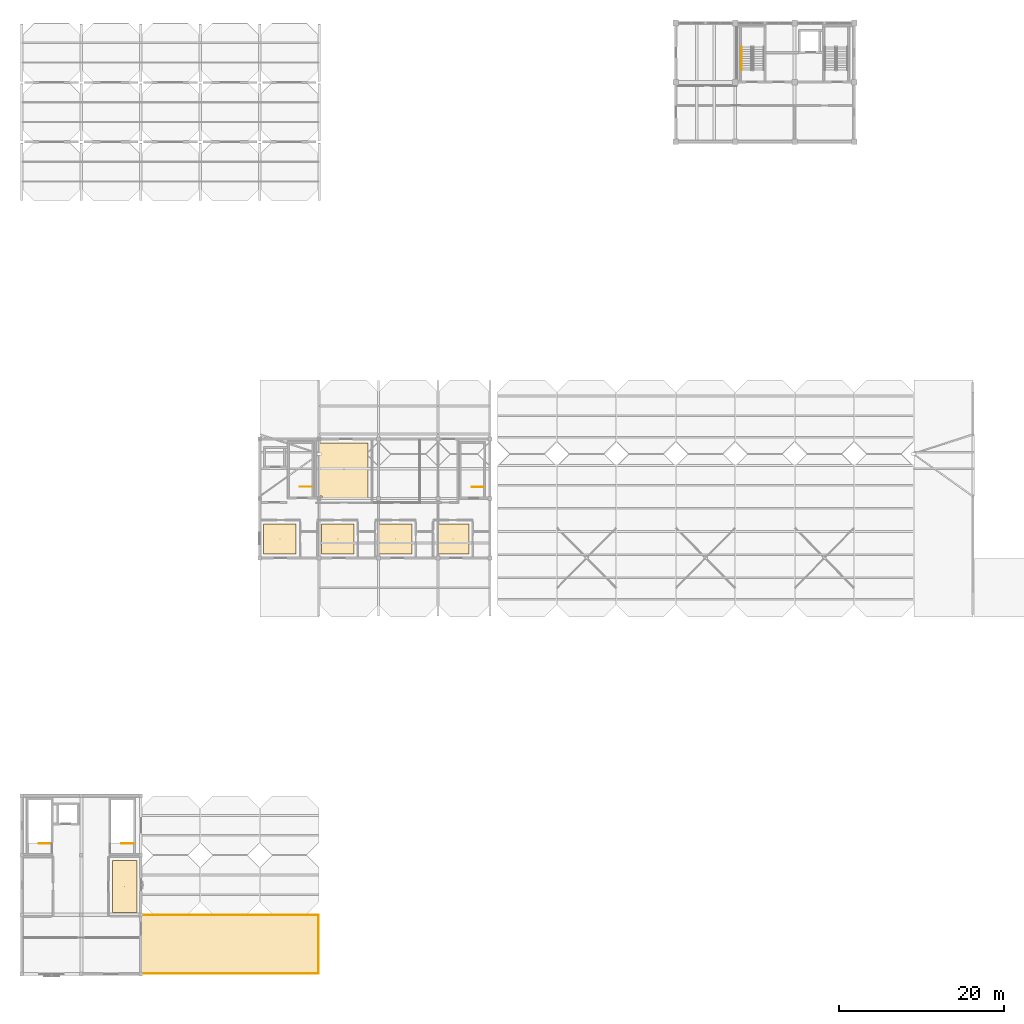
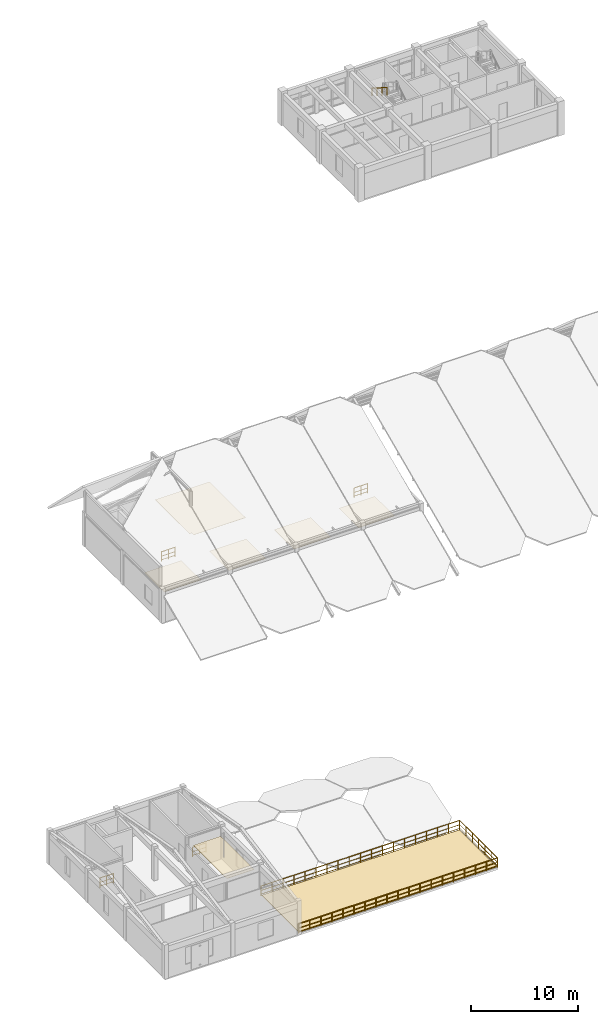
# One storey, part 51 of 54: 8 railings, 7 coverings.
"""IFC4 building model written with IfcOpenShell, lengths in metres."""

from ifc_helpers import new_model, si_unit, direction, frame, origin, origin_2d, place, context, subcontext, project, spatial, polyline, circle, outline, extrude, material, layer, layer_set, type_object, element, save


model = new_model("IFC4")

# Units and contexts
model_context = context("Model", 3, precision=1e-05, world=origin(), true_north=direction((0.0, 1.0)))
body_context = subcontext(model_context, "Body", "Model", "MODEL_VIEW")
ifc_project = project(units=[si_unit("LENGTHUNIT", "METRE"), si_unit("AREAUNIT", "SQUARE_METRE"), si_unit("VOLUMEUNIT", "CUBIC_METRE"), si_unit("PLANEANGLEUNIT", "RADIAN"), si_unit("MASSUNIT", "GRAM", prefix="KILO")], contexts=[model_context])

# Site, building, storey
site_placement = place(None, origin())
site = spatial("IfcSite", under=ifc_project, at=site_placement, CompositionType="ELEMENT")
building_placement = place(site_placement, origin())
building = spatial("IfcBuilding", under=site, at=building_placement, Name="Koriwan Promenade Central Fire Station", CompositionType="ELEMENT")
storey_placement = place(building_placement, frame((0.0, 0.0, 9.60009765625)))
storey = spatial("IfcBuildingStorey", under=building, at=storey_placement, Name="L02", CompositionType="ELEMENT", Elevation=9.60009765625)

# Coverings
ifc_material_1 = material(Name="Mineral-fibre acoustic ceiling tile on suspended grid", Category="ceiling")
ifc_layer_1 = layer(ifc_material_1, 0.02490234375, Name="Mineral-fibre acoustic ceiling tile on suspended grid")
ifc_layer_set_1 = layer_set([ifc_layer_1], Name="Mineral-fibre acoustic ceiling tile on suspended grid")
covering_type_1 = type_object("IfcCoveringType", Name="AcousticCeiling_Tile", PredefinedType="CEILING", material=ifc_layer_set_1)
covering_1_placement = place(storey_placement, frame((0.0, 0.0, 2.93994140625)))
element("IfcCovering", 1, at=covering_1_placement, inside=storey, type_object=covering_type_1, Name="Crew Dormitory Suite A1 suspended acoustic ceiling", PredefinedType="CEILING", context=body_context, shape_type="SweptSolid", body=[
    extrude(outline(polyline([(29.27001953125, 50.8701171875), (29.27001953125, 54.530029296875), (33.22998046875, 54.530029296875), (33.22998046875, 50.8701171875), (29.27001953125, 50.8701171875)])), origin(), (0.0, 0.0, 1.0), 0.02490234375),
])
covering_2_placement = place(storey_placement, frame((0.0, 0.0, 2.93994140625)))
element("IfcCovering", 2, at=covering_2_placement, inside=storey, type_object=covering_type_1, Name="Crew Dormitory Suite A2 suspended acoustic ceiling", PredefinedType="CEILING", context=body_context, shape_type="SweptSolid", body=[
    extrude(outline(polyline([(40.22998046875, 54.530029296875), (40.22998046875, 50.8701171875), (36.27001953125, 50.8701171875), (36.27001953125, 54.530029296875), (40.22998046875, 54.530029296875)])), origin(), (0.0, 0.0, 1.0), 0.02490234375),
])
covering_3_placement = place(storey_placement, frame((0.0, 0.0, 2.93994140625)))
element("IfcCovering", 3, at=covering_3_placement, inside=storey, type_object=covering_type_1, Name="Crew Dormitory Suite A3 suspended acoustic ceiling", PredefinedType="CEILING", context=body_context, shape_type="SweptSolid", body=[
    extrude(outline(polyline([(43.27001953125, 50.8701171875), (43.27001953125, 54.530029296875), (47.22998046875, 54.530029296875), (47.22998046875, 50.8701171875), (43.27001953125, 50.8701171875)])), origin(), (0.0, 0.0, 1.0), 0.02490234375),
])
covering_4_placement = place(storey_placement, frame((0.0, 0.0, 2.93994140625)))
element("IfcCovering", 4, at=covering_4_placement, inside=storey, type_object=covering_type_1, Name="Crew Dormitory Suite A4 suspended acoustic ceiling", PredefinedType="CEILING", context=body_context, shape_type="SweptSolid", body=[
    extrude(outline(polyline([(54.1298828125, 54.530029296875), (54.1298828125, 50.8701171875), (50.27001953125, 50.8701171875), (50.27001953125, 54.530029296875), (54.1298828125, 54.530029296875)])), origin(), (0.0, 0.0, 1.0), 0.02490234375),
])
covering_5_placement = place(storey_placement, frame((0.0, 0.0, 2.93994140625)))
element("IfcCovering", 5, at=covering_5_placement, inside=storey, type_object=covering_type_1, Name="On-Call Watch Commander Duty Room suspended acoustic ceiling", PredefinedType="CEILING", context=body_context, shape_type="SweptSolid", body=[
    extrude(outline(polyline([(41.929931640625, 64.330078125), (41.929931640625, 57.570068359375), (36.324951171875, 57.570068359375), (36.324951171875, 57.925048828125), (36.070068359375, 57.925048828125), (36.070068359375, 64.330078125), (41.929931640625, 64.330078125)])), origin(), (0.0, 0.0, 1.0), 0.02490234375),
])
covering_6_placement = place(storey_placement, frame((0.0, 0.0, 2.93994140625)))
element("IfcCovering", 6, at=covering_6_placement, inside=storey, type_object=covering_type_1, Name="Community First-Aid Classroom suspended acoustic ceiling", PredefinedType="CEILING", context=body_context, shape_type="SweptSolid", body=[
    extrude(outline(polyline([(13.929931640625, 13.72998046875), (13.929931640625, 7.469970703125), (10.969970703125, 7.469970703125), (10.969970703125, 13.72998046875), (13.929931640625, 13.72998046875)])), origin(), (0.0, 0.0, 1.0), 0.02490234375),
])
ifc_material_2 = material(Name="Waterproofed xerophytic roof-garden drainage build-up", Category="membrane")
ifc_layer_2 = layer(ifc_material_2, 0.06005859375, Name="Waterproofed xerophytic roof-garden drainage build-up")
ifc_layer_set_2 = layer_set([ifc_layer_2], Name="Waterproofed xerophytic roof-garden drainage build-up")
covering_type_2 = type_object("IfcCoveringType", Name="RoofCovering_Garden", PredefinedType="ROOFING", material=ifc_layer_set_2)
covering_7_placement = place(storey_placement, origin())
element("IfcCovering", 7, at=covering_7_placement, inside=storey, type_object=covering_type_2, Name="Promenade Roof Garden waterproofed garden build-up", PredefinedType="ROOFING", context=body_context, shape_type="SweptSolid", body=[
    extrude(outline(polyline([(35.8798828125, 0.1201171875), (14.52001953125, 0.1201171875), (14.52001953125, 7.080078125), (35.8798828125, 7.080078125), (35.8798828125, 0.1201171875)])), origin(), (0.0, 0.0, 1.0), 0.059814453125),
])

# Railings
ifc_material_3 = material(Name="Steel ASTM A500 Grade C", Category="steel")
ifc_layer_3 = layer(ifc_material_3, 0.050048828125, Name="Steel ASTM A500 Grade C")
ifc_layer_set_3 = layer_set([ifc_layer_3], Name="Steel ASTM A500 Grade C")
railing_type_1 = type_object("IfcRailingType", Name="StairGuard_1100", PredefinedType="BALUSTRADE", material=ifc_layer_set_3)
for number, where, name in (
    (8, (3.550048828125, 15.820068359375, 0.0), "L02 ST14 top well guard 1"),
    (9, (13.550048828125, 15.820068359375, 0.0), "L02 ST16 top well guard 1"),
    (10, (35.14990234375, 59.02001953125, 0.0), "L02 ST18 top well guard 1"),
):
    element("IfcRailing", number, at=place(storey_placement, frame(where)), inside=storey, type_object=railing_type_1, Name=name, PredefinedType="BALUSTRADE", context=body_context, shape_type="SweptSolid", body=[
        extrude(circle(Radius=0.02392578125, at=origin_2d()), frame((0.0, 0.0, 1.076171875), z_axis=(-1.0, 0.0, 0.0), x_axis=(0.0, -1.0, 0.0)), (0.0, 0.0, 1.0), 1.469970703125),
        extrude(circle(Radius=0.012939453125, at=origin_2d()), frame((0.0, 0.0, 0.572021484375), z_axis=(-1.0, 0.0, 0.0), x_axis=(0.0, -1.0, 0.0)), (0.0, 0.0, 1.0), 1.469970703125),
        extrude(circle(Radius=0.012939453125, at=origin_2d()), frame((0.0, 0.0, 0.154052734375), z_axis=(-1.0, 0.0, 0.0), x_axis=(0.0, -1.0, 0.0)), (0.0, 0.0, 1.0), 1.469970703125),
        extrude(circle(Radius=0.02099609375, at=origin_2d()), origin(), (0.0, 0.0, 1.0), 1.052001953125),
        extrude(circle(Radius=0.02099609375, at=origin_2d()), frame((-0.73486328125, 0.0, 0.0)), (0.0, 0.0, 1.0), 1.052001953125),
        extrude(circle(Radius=0.02099609375, at=origin_2d()), frame((-1.469970703125, 0.0, 0.0)), (0.0, 0.0, 1.0), 1.052001953125),
    ])
railing_1_placement = place(storey_placement, frame((55.949951171875, 59.010009765625, 0.0)))
element("IfcRailing", 11, at=railing_1_placement, inside=storey, type_object=railing_type_1, Name="L02 ST20 top well guard 1", PredefinedType="BALUSTRADE", context=body_context, shape_type="SweptSolid", body=[
    extrude(circle(Radius=0.02392578125, at=origin_2d()), frame((0.0, 0.0, 1.076171875), z_axis=(-1.0, 0.0, 0.0), x_axis=(0.0, -1.0, 0.0)), (0.0, 0.0, 1.0), 1.4599609375),
    extrude(circle(Radius=0.012939453125, at=origin_2d()), frame((0.0, 0.0, 0.572021484375), z_axis=(-1.0, 0.0, 0.0), x_axis=(0.0, -1.0, 0.0)), (0.0, 0.0, 1.0), 1.4599609375),
    extrude(circle(Radius=0.012939453125, at=origin_2d()), frame((0.0, 0.0, 0.154052734375), z_axis=(-1.0, 0.0, 0.0), x_axis=(0.0, -1.0, 0.0)), (0.0, 0.0, 1.0), 1.4599609375),
    extrude(circle(Radius=0.02099609375, at=origin_2d()), origin(), (0.0, 0.0, 1.0), 1.052001953125),
    extrude(circle(Radius=0.02099609375, at=origin_2d()), frame((-0.72998046875, 0.0, 0.0)), (0.0, 0.0, 1.0), 1.052001953125),
    extrude(circle(Radius=0.02099609375, at=origin_2d()), frame((-1.4599609375, 0.0, 0.0)), (0.0, 0.0, 1.0), 1.052001953125),
])
ifc_material_4 = material(Name="Stainless steel 316 tubular handrail", Category="steel")
ifc_layer_4 = layer(ifc_material_4, 0.048095703125, Name="Stainless steel 316 tubular handrail")
ifc_layer_set_4 = layer_set([ifc_layer_4], Name="Stainless steel 316 tubular handrail")
railing_type_2 = type_object("IfcRailingType", Name="StairHandrail_900", PredefinedType="HANDRAIL", material=ifc_layer_set_4)
railing_2_placement = place(storey_placement, frame((87.159912109375, 112.27001953125, 2.127197265625)))
element("IfcRailing", 12, at=railing_2_placement, inside=storey, type_object=railing_type_2, Name="L02 ST09 stair handrail 2", PredefinedType="HANDRAIL", context=body_context, shape_type="SweptSolid", body=[
    extrude(circle(Radius=0.02392578125, at=origin_2d()), frame((0.0, 0.0, 0.8759765625), z_axis=(0.0, -0.844908973607, 0.534910110503), x_axis=(1.0, 0.0, 0.0)), (0.0, 0.0, 1.0), 3.31396484375),
    extrude(circle(Radius=0.02099609375, at=origin_2d()), origin(), (0.0, 0.0, 1.0), 0.851806640625),
    extrude(circle(Radius=0.02099609375, at=origin_2d()), frame((0.0, -0.933349609375, 0.5908203125)), (0.0, 0.0, 1.0), 0.851806640625),
    extrude(circle(Radius=0.02099609375, at=origin_2d()), frame((0.0, -1.86669921875, 1.181884765625)), (0.0, 0.0, 1.0), 0.851806640625),
    extrude(circle(Radius=0.02099609375, at=origin_2d()), frame((0.0, -2.800048828125, 1.772705078125)), (0.0, 0.0, 1.0), 0.851806640625),
])
ifc_layer_5 = layer(ifc_material_3, 0.06005859375, Name="Steel ASTM A500 Grade C")
ifc_layer_set_5 = layer_set([ifc_layer_5], Name="Steel ASTM A500 Grade C")
railing_type_3 = type_object("IfcRailingType", Name="TerraceGuard_1100", PredefinedType="BALUSTRADE", material=ifc_layer_set_5)
railing_3_placement = place(storey_placement, frame((35.93994140625, 0.06005859375, 0.0)))
element("IfcRailing", 13, at=railing_3_placement, inside=storey, type_object=railing_type_3, Name="Promenade Roof Garden protective balustrade 005", PredefinedType="BALUSTRADE", context=body_context, shape_type="SweptSolid", body=[
    extrude(circle(Radius=0.02392578125, at=origin_2d()), frame((0.0, 0.0, 1.076171875), z_axis=(-1.0, 0.0, 0.0), x_axis=(0.0, -1.0, 0.0)), (0.0, 0.0, 1.0), 21.47998046875),
    extrude(circle(Radius=0.012939453125, at=origin_2d()), frame((0.0, 0.0, 0.572021484375), z_axis=(-1.0, 0.0, 0.0), x_axis=(0.0, -1.0, 0.0)), (0.0, 0.0, 1.0), 21.47998046875),
    extrude(circle(Radius=0.012939453125, at=origin_2d()), frame((0.0, 0.0, 0.154052734375), z_axis=(-1.0, 0.0, 0.0), x_axis=(0.0, -1.0, 0.0)), (0.0, 0.0, 1.0), 21.47998046875),
    extrude(circle(Radius=0.02099609375, at=origin_2d()), origin(), (0.0, 0.0, 1.0), 1.052001953125),
    extrude(circle(Radius=0.02099609375, at=origin_2d()), frame((-1.193359375, 0.0, 0.0)), (0.0, 0.0, 1.0), 1.052001953125),
    extrude(circle(Radius=0.02099609375, at=origin_2d()), frame((-2.38671875, 0.0, 0.0)), (0.0, 0.0, 1.0), 1.052001953125),
    extrude(circle(Radius=0.02099609375, at=origin_2d()), frame((-3.580078125, 0.0, 0.0)), (0.0, 0.0, 1.0), 1.052001953125),
    extrude(circle(Radius=0.02099609375, at=origin_2d()), frame((-4.7734375, 0.0, 0.0)), (0.0, 0.0, 1.0), 1.052001953125),
    extrude(circle(Radius=0.02099609375, at=origin_2d()), frame((-5.966552734375, 0.0, 0.0)), (0.0, 0.0, 1.0), 1.052001953125),
    extrude(circle(Radius=0.02099609375, at=origin_2d()), frame((-7.159912109375, 0.0, 0.0)), (0.0, 0.0, 1.0), 1.052001953125),
    extrude(circle(Radius=0.02099609375, at=origin_2d()), frame((-8.353271484375, 0.0, 0.0)), (0.0, 0.0, 1.0), 1.052001953125),
    extrude(circle(Radius=0.02099609375, at=origin_2d()), frame((-9.546630859375, 0.0, 0.0)), (0.0, 0.0, 1.0), 1.052001953125),
    extrude(circle(Radius=0.02099609375, at=origin_2d()), frame((-10.739990234375, 0.0, 0.0)), (0.0, 0.0, 1.0), 1.052001953125),
    extrude(circle(Radius=0.02099609375, at=origin_2d()), frame((-11.933349609375, 0.0, 0.0)), (0.0, 0.0, 1.0), 1.052001953125),
    extrude(circle(Radius=0.02099609375, at=origin_2d()), frame((-13.126708984375, 0.0, 0.0)), (0.0, 0.0, 1.0), 1.052001953125),
    extrude(circle(Radius=0.02099609375, at=origin_2d()), frame((-14.320068359375, 0.0, 0.0)), (0.0, 0.0, 1.0), 1.052001953125),
    extrude(circle(Radius=0.02099609375, at=origin_2d()), frame((-15.513427734375, 0.0, 0.0)), (0.0, 0.0, 1.0), 1.052001953125),
    extrude(circle(Radius=0.02099609375, at=origin_2d()), frame((-16.70654296875, 0.0, 0.0)), (0.0, 0.0, 1.0), 1.052001953125),
    extrude(circle(Radius=0.02099609375, at=origin_2d()), frame((-17.89990234375, 0.0, 0.0)), (0.0, 0.0, 1.0), 1.052001953125),
    extrude(circle(Radius=0.02099609375, at=origin_2d()), frame((-19.09326171875, 0.0, 0.0)), (0.0, 0.0, 1.0), 1.052001953125),
    extrude(circle(Radius=0.02099609375, at=origin_2d()), frame((-20.28662109375, 0.0, 0.0)), (0.0, 0.0, 1.0), 1.052001953125),
    extrude(circle(Radius=0.02099609375, at=origin_2d()), frame((-21.47998046875, 0.0, 0.0)), (0.0, 0.0, 1.0), 1.052001953125),
])
railing_4_placement = place(storey_placement, frame((14.4599609375, 7.139892578125, 0.0)))
element("IfcRailing", 14, at=railing_4_placement, inside=storey, type_object=railing_type_3, Name="Promenade Roof Garden protective balustrade 006", PredefinedType="BALUSTRADE", context=body_context, shape_type="SweptSolid", body=[
    extrude(circle(Radius=0.02392578125, at=origin_2d()), frame((0.0, 0.0, 1.076171875), z_axis=(1.0, 0.0, 0.0), x_axis=(0.0, 1.0, 0.0)), (0.0, 0.0, 1.0), 21.47998046875),
    extrude(circle(Radius=0.012939453125, at=origin_2d()), frame((0.0, 0.0, 0.572021484375), z_axis=(1.0, 0.0, 0.0), x_axis=(0.0, 1.0, 0.0)), (0.0, 0.0, 1.0), 21.47998046875),
    extrude(circle(Radius=0.012939453125, at=origin_2d()), frame((0.0, 0.0, 0.154052734375), z_axis=(1.0, 0.0, 0.0), x_axis=(0.0, 1.0, 0.0)), (0.0, 0.0, 1.0), 21.47998046875),
    extrude(circle(Radius=0.02099609375, at=origin_2d()), origin(), (0.0, 0.0, 1.0), 1.052001953125),
    extrude(circle(Radius=0.02099609375, at=origin_2d()), frame((1.193359375, 0.0, 0.0)), (0.0, 0.0, 1.0), 1.052001953125),
    extrude(circle(Radius=0.02099609375, at=origin_2d()), frame((2.38671875, 0.0, 0.0)), (0.0, 0.0, 1.0), 1.052001953125),
    extrude(circle(Radius=0.02099609375, at=origin_2d()), frame((3.580078125, 0.0, 0.0)), (0.0, 0.0, 1.0), 1.052001953125),
    extrude(circle(Radius=0.02099609375, at=origin_2d()), frame((4.7734375, 0.0, 0.0)), (0.0, 0.0, 1.0), 1.052001953125),
    extrude(circle(Radius=0.02099609375, at=origin_2d()), frame((5.966552734375, 0.0, 0.0)), (0.0, 0.0, 1.0), 1.052001953125),
    extrude(circle(Radius=0.02099609375, at=origin_2d()), frame((7.159912109375, 0.0, 0.0)), (0.0, 0.0, 1.0), 1.052001953125),
    extrude(circle(Radius=0.02099609375, at=origin_2d()), frame((8.353271484375, 0.0, 0.0)), (0.0, 0.0, 1.0), 1.052001953125),
    extrude(circle(Radius=0.02099609375, at=origin_2d()), frame((9.546630859375, 0.0, 0.0)), (0.0, 0.0, 1.0), 1.052001953125),
    extrude(circle(Radius=0.02099609375, at=origin_2d()), frame((10.739990234375, 0.0, 0.0)), (0.0, 0.0, 1.0), 1.052001953125),
    extrude(circle(Radius=0.02099609375, at=origin_2d()), frame((11.933349609375, 0.0, 0.0)), (0.0, 0.0, 1.0), 1.052001953125),
    extrude(circle(Radius=0.02099609375, at=origin_2d()), frame((13.126708984375, 0.0, 0.0)), (0.0, 0.0, 1.0), 1.052001953125),
    extrude(circle(Radius=0.02099609375, at=origin_2d()), frame((14.320068359375, 0.0, 0.0)), (0.0, 0.0, 1.0), 1.052001953125),
    extrude(circle(Radius=0.02099609375, at=origin_2d()), frame((15.513427734375, 0.0, 0.0)), (0.0, 0.0, 1.0), 1.052001953125),
    extrude(circle(Radius=0.02099609375, at=origin_2d()), frame((16.70654296875, 0.0, 0.0)), (0.0, 0.0, 1.0), 1.052001953125),
    extrude(circle(Radius=0.02099609375, at=origin_2d()), frame((17.89990234375, 0.0, 0.0)), (0.0, 0.0, 1.0), 1.052001953125),
    extrude(circle(Radius=0.02099609375, at=origin_2d()), frame((19.09326171875, 0.0, 0.0)), (0.0, 0.0, 1.0), 1.052001953125),
    extrude(circle(Radius=0.02099609375, at=origin_2d()), frame((20.28662109375, 0.0, 0.0)), (0.0, 0.0, 1.0), 1.052001953125),
    extrude(circle(Radius=0.02099609375, at=origin_2d()), frame((21.47998046875, 0.0, 0.0)), (0.0, 0.0, 1.0), 1.052001953125),
])
railing_5_placement = place(storey_placement, frame((35.93994140625, 7.139892578125, 0.0)))
element("IfcRailing", 15, at=railing_5_placement, inside=storey, type_object=railing_type_3, Name="Promenade Roof Garden protective balustrade 007", PredefinedType="BALUSTRADE", context=body_context, shape_type="SweptSolid", body=[
    extrude(circle(Radius=0.02392578125, at=origin_2d()), frame((0.0, 0.0, 1.076171875), z_axis=(0.0, -1.0, 0.0), x_axis=(1.0, 0.0, 0.0)), (0.0, 0.0, 1.0), 7.079833984375),
    extrude(circle(Radius=0.012939453125, at=origin_2d()), frame((0.0, 0.0, 0.572021484375), z_axis=(0.0, -1.0, 0.0), x_axis=(1.0, 0.0, 0.0)), (0.0, 0.0, 1.0), 7.079833984375),
    extrude(circle(Radius=0.012939453125, at=origin_2d()), frame((0.0, 0.0, 0.154052734375), z_axis=(0.0, -1.0, 0.0), x_axis=(1.0, 0.0, 0.0)), (0.0, 0.0, 1.0), 7.079833984375),
    extrude(circle(Radius=0.02099609375, at=origin_2d()), origin(), (0.0, 0.0, 1.0), 1.052001953125),
    extrude(circle(Radius=0.02099609375, at=origin_2d()), frame((0.0, -1.179931640625, 0.0)), (0.0, 0.0, 1.0), 1.052001953125),
    extrude(circle(Radius=0.02099609375, at=origin_2d()), frame((0.0, -2.35986328125, 0.0)), (0.0, 0.0, 1.0), 1.052001953125),
    extrude(circle(Radius=0.02099609375, at=origin_2d()), frame((0.0, -3.5400390625, 0.0)), (0.0, 0.0, 1.0), 1.052001953125),
    extrude(circle(Radius=0.02099609375, at=origin_2d()), frame((0.0, -4.719970703125, 0.0)), (0.0, 0.0, 1.0), 1.052001953125),
    extrude(circle(Radius=0.02099609375, at=origin_2d()), frame((0.0, -5.89990234375, 0.0)), (0.0, 0.0, 1.0), 1.052001953125),
    extrude(circle(Radius=0.02099609375, at=origin_2d()), frame((0.0, -7.079833984375, 0.0)), (0.0, 0.0, 1.0), 1.052001953125),
])

save(model, "model.ifc")
